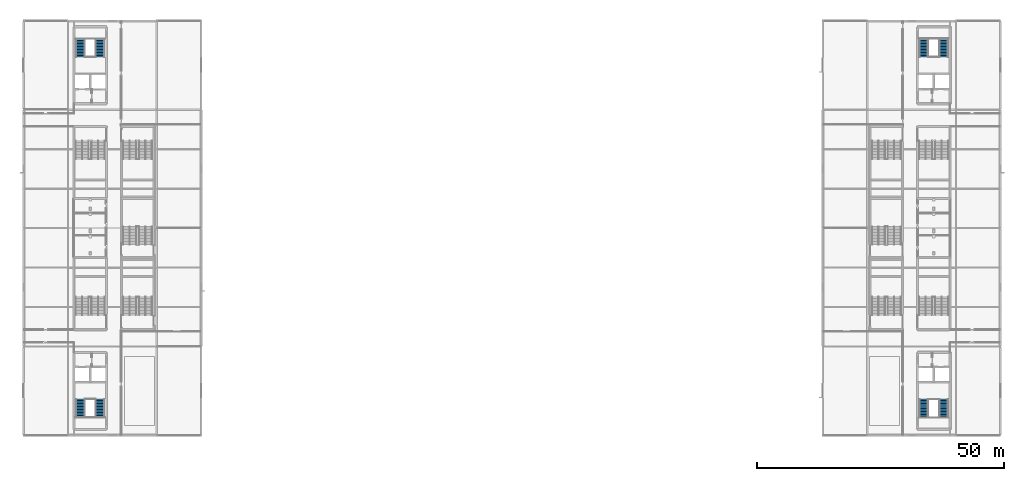
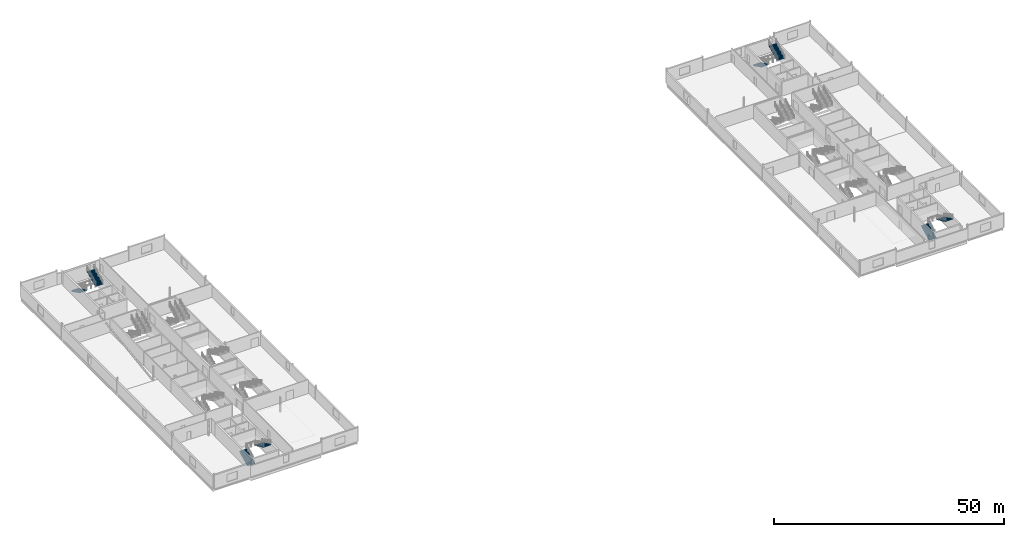
# One storey, part 25 of 35: 8 stair flights, 4 elements without a shape of their own.
"""IFC4 building model written with IfcOpenShell, lengths in metres."""

from ifc_helpers import new_model, si_unit, direction, frame, origin, place, context, subcontext, project, spatial, polyline, outline, extrude, material, type_object, element, aggregate, save


model = new_model("IFC4")

# Units and contexts
model_context = context("Model", 3, precision=1e-05, world=origin(), true_north=direction((0.0, 1.0)))
body_context = subcontext(model_context, "Body", "Model", "MODEL_VIEW")
ifc_project = project(units=[si_unit("LENGTHUNIT", "METRE"), si_unit("AREAUNIT", "SQUARE_METRE"), si_unit("VOLUMEUNIT", "CUBIC_METRE"), si_unit("PLANEANGLEUNIT", "RADIAN"), si_unit("MASSUNIT", "GRAM", prefix="KILO")], contexts=[model_context])

# Site, building, storey
site_placement = place(None, origin())
site = spatial("IfcSite", under=ifc_project, at=site_placement, CompositionType="ELEMENT")
building_placement = place(site_placement, origin())
building = spatial("IfcBuilding", under=site, at=building_placement, Name="Kisiwana Market Hall", CompositionType="ELEMENT")
storey_placement = place(building_placement, frame((0.0, 0.0, 57.89990234375)))
storey = spatial("IfcBuildingStorey", under=building, at=storey_placement, Name="L13", CompositionType="ELEMENT", Elevation=57.89990234375)

# Stair, stair flights
ifc_material_1 = material(Name="Concrete C32/40", Category="concrete")
stair_type = type_object("IfcStairType", Name="ST-TWR-3900", PredefinedType="TWO_STRAIGHT_RUN_STAIR", material=ifc_material_1)
stair_1_placement = place(storey_placement, origin())
stair_1 = element("IfcStair", 1, at=stair_1_placement, inside=storey, type_object=stair_type, Name="Escape stair ST-W2-L13", PredefinedType="TWO_STRAIGHT_RUN_STAIR")
ifc_material_2 = material(Name="Concrete C32/40", Category="concrete")
stair_flight_type = type_object("IfcStairFlightType", Name="SF-TWR-3900", PredefinedType="STRAIGHT", material=ifc_material_2)
stair_flight_1_placement = place(storey_placement, frame((11.5, 21.674560546875, 0.0), z_axis=(0.0, 0.0, 1.0), x_axis=(0.0, 1.0, 0.0)))
stair_flight_1 = element("IfcStairFlight", 2, at=stair_flight_1_placement, type_object=stair_flight_type, Name="ST-W2-L13 flight 1", NumberOfRisers=13, NumberOfTreads=12, PredefinedType="STRAIGHT", RiserHeight=0.15, TreadLength=0.305, context=body_context, shape_type="SweptSolid", body=[
    extrude(outline(polyline([(0.0, 0.0), (0.0, 0.14990234375), (0.304931640625, 0.14990234375), (0.304931640625, 0.300048828125), (0.610107421875, 0.300048828125), (0.610107421875, 0.449951171875), (0.9150390625, 0.449951171875), (0.9150390625, 0.60009765625), (1.219970703125, 0.60009765625), (1.219970703125, 0.75), (1.52490234375, 0.75), (1.52490234375, 0.89990234375), (1.830078125, 0.89990234375), (1.830078125, 1.050048828125), (2.135009765625, 1.050048828125), (2.135009765625, 1.199951171875), (2.43994140625, 1.199951171875), (2.43994140625, 1.35009765625), (2.7451171875, 1.35009765625), (2.7451171875, 1.5), (3.050048828125, 1.5), (3.050048828125, 1.64990234375), (3.35498046875, 1.64990234375), (3.35498046875, 1.800048828125), (3.659912109375, 1.800048828125), (3.659912109375, 1.949951171875), (3.659912109375, 1.599365234375), (0.40771484375, 0.0), (0.0, 0.0)])), frame((0.0, 0.925048828125, 0.0), z_axis=(0.0, -1.0, 0.0), x_axis=(1.0, 0.0, 0.0)), (0.0, 0.0, 1.0), 1.85009765625),
])
stair_flight_2_placement = place(storey_placement, frame((15.5, 25.33447265625, 1.9501953125), z_axis=(0.0, 0.0, 1.0), x_axis=(0.0, -1.0, 0.0)))
stair_flight_2 = element("IfcStairFlight", 3, at=stair_flight_2_placement, type_object=stair_flight_type, Name="ST-W2-L13 flight 2", NumberOfRisers=13, NumberOfTreads=12, PredefinedType="STRAIGHT", RiserHeight=0.15, TreadLength=0.305, context=body_context, shape_type="SweptSolid", body=[
    extrude(outline(polyline([(0.0, 0.0), (0.0, 0.14990234375), (0.304931640625, 0.14990234375), (0.304931640625, 0.300048828125), (0.610107421875, 0.300048828125), (0.610107421875, 0.449951171875), (0.9150390625, 0.449951171875), (0.9150390625, 0.60009765625), (1.219970703125, 0.60009765625), (1.219970703125, 0.75), (1.52490234375, 0.75), (1.52490234375, 0.89990234375), (1.830078125, 0.89990234375), (1.830078125, 1.050048828125), (2.135009765625, 1.050048828125), (2.135009765625, 1.199951171875), (2.43994140625, 1.199951171875), (2.43994140625, 1.35009765625), (2.7451171875, 1.35009765625), (2.7451171875, 1.5), (3.050048828125, 1.5), (3.050048828125, 1.64990234375), (3.35498046875, 1.64990234375), (3.35498046875, 1.800048828125), (3.659912109375, 1.800048828125), (3.659912109375, 1.949951171875), (3.659912109375, 1.599365234375), (0.40771484375, 0.0), (0.0, 0.0)])), frame((0.0, 0.925048828125, 0.0), z_axis=(0.0, -1.0, 0.0), x_axis=(1.0, 0.0, 0.0)), (0.0, 0.0, 1.0), 1.85009765625),
])
aggregate(stair_1, [stair_flight_1, stair_flight_2])

stair_2_placement = place(storey_placement, origin())
stair_2 = element("IfcStair", 4, at=stair_2_placement, inside=storey, type_object=stair_type, Name="Escape stair ST-W1-L13", PredefinedType="TWO_STRAIGHT_RUN_STAIR")
stair_flight_3_placement = place(storey_placement, frame((11.5, 98.325439453125, 0.0), z_axis=(0.0, 0.0, 1.0), x_axis=(0.0, -1.0, 0.0)))
stair_flight_3 = element("IfcStairFlight", 5, at=stair_flight_3_placement, type_object=stair_flight_type, Name="ST-W1-L13 flight 1", NumberOfRisers=13, NumberOfTreads=12, PredefinedType="STRAIGHT", RiserHeight=0.15, TreadLength=0.305, context=body_context, shape_type="SweptSolid", body=[
    extrude(outline(polyline([(0.0, 0.0), (0.0, 0.14990234375), (0.304931640625, 0.14990234375), (0.304931640625, 0.300048828125), (0.610107421875, 0.300048828125), (0.610107421875, 0.449951171875), (0.9150390625, 0.449951171875), (0.9150390625, 0.60009765625), (1.219970703125, 0.60009765625), (1.219970703125, 0.75), (1.52490234375, 0.75), (1.52490234375, 0.89990234375), (1.830078125, 0.89990234375), (1.830078125, 1.050048828125), (2.135009765625, 1.050048828125), (2.135009765625, 1.199951171875), (2.43994140625, 1.199951171875), (2.43994140625, 1.35009765625), (2.7451171875, 1.35009765625), (2.7451171875, 1.5), (3.050048828125, 1.5), (3.050048828125, 1.64990234375), (3.35498046875, 1.64990234375), (3.35498046875, 1.800048828125), (3.659912109375, 1.800048828125), (3.659912109375, 1.949951171875), (3.659912109375, 1.599365234375), (0.40771484375, 0.0), (0.0, 0.0)])), frame((0.0, 0.925048828125, 0.0), z_axis=(0.0, -1.0, 0.0), x_axis=(1.0, 0.0, 0.0)), (0.0, 0.0, 1.0), 1.85009765625),
])
stair_flight_4_placement = place(storey_placement, frame((15.5, 94.66552734375, 1.9501953125), z_axis=(0.0, 0.0, 1.0), x_axis=(0.0, 1.0, 0.0)))
stair_flight_4 = element("IfcStairFlight", 6, at=stair_flight_4_placement, type_object=stair_flight_type, Name="ST-W1-L13 flight 2", NumberOfRisers=13, NumberOfTreads=12, PredefinedType="STRAIGHT", RiserHeight=0.15, TreadLength=0.305, context=body_context, shape_type="SweptSolid", body=[
    extrude(outline(polyline([(0.0, 0.0), (0.0, 0.14990234375), (0.304931640625, 0.14990234375), (0.304931640625, 0.300048828125), (0.610107421875, 0.300048828125), (0.610107421875, 0.449951171875), (0.9150390625, 0.449951171875), (0.9150390625, 0.60009765625), (1.219970703125, 0.60009765625), (1.219970703125, 0.75), (1.52490234375, 0.75), (1.52490234375, 0.89990234375), (1.830078125, 0.89990234375), (1.830078125, 1.050048828125), (2.135009765625, 1.050048828125), (2.135009765625, 1.199951171875), (2.43994140625, 1.199951171875), (2.43994140625, 1.35009765625), (2.7451171875, 1.35009765625), (2.7451171875, 1.5), (3.050048828125, 1.5), (3.050048828125, 1.64990234375), (3.35498046875, 1.64990234375), (3.35498046875, 1.800048828125), (3.659912109375, 1.800048828125), (3.659912109375, 1.949951171875), (3.659912109375, 1.599365234375), (0.40771484375, 0.0), (0.0, 0.0)])), frame((0.0, 0.925048828125, 0.0), z_axis=(0.0, -1.0, 0.0), x_axis=(1.0, 0.0, 0.0)), (0.0, 0.0, 1.0), 1.85009765625),
])
aggregate(stair_2, [stair_flight_3, stair_flight_4])

stair_3_placement = place(storey_placement, origin())
stair_3 = element("IfcStair", 7, at=stair_3_placement, inside=storey, type_object=stair_type, Name="Escape stair ST-E2-L13", PredefinedType="TWO_STRAIGHT_RUN_STAIR")
stair_flight_5_placement = place(storey_placement, frame((182.47509765625, 21.6494140625, 0.0), z_axis=(0.0, 0.0, 1.0), x_axis=(0.0, 1.0, 0.0)))
stair_flight_5 = element("IfcStairFlight", 8, at=stair_flight_5_placement, type_object=stair_flight_type, Name="ST-E2-L13 flight 1", NumberOfRisers=13, NumberOfTreads=12, PredefinedType="STRAIGHT", RiserHeight=0.15, TreadLength=0.305, context=body_context, shape_type="SweptSolid", body=[
    extrude(outline(polyline([(0.0, 0.0), (0.0, 0.14990234375), (0.304931640625, 0.14990234375), (0.304931640625, 0.300048828125), (0.610107421875, 0.300048828125), (0.610107421875, 0.449951171875), (0.9150390625, 0.449951171875), (0.9150390625, 0.60009765625), (1.219970703125, 0.60009765625), (1.219970703125, 0.75), (1.52490234375, 0.75), (1.52490234375, 0.89990234375), (1.830078125, 0.89990234375), (1.830078125, 1.050048828125), (2.135009765625, 1.050048828125), (2.135009765625, 1.199951171875), (2.43994140625, 1.199951171875), (2.43994140625, 1.35009765625), (2.7451171875, 1.35009765625), (2.7451171875, 1.5), (3.050048828125, 1.5), (3.050048828125, 1.64990234375), (3.35498046875, 1.64990234375), (3.35498046875, 1.800048828125), (3.659912109375, 1.800048828125), (3.659912109375, 1.949951171875), (3.659912109375, 1.599365234375), (0.40771484375, 0.0), (0.0, 0.0)])), frame((0.0, 0.925048828125, 0.0), z_axis=(0.0, -1.0, 0.0), x_axis=(1.0, 0.0, 0.0)), (0.0, 0.0, 1.0), 1.85009765625),
])
stair_flight_6_placement = place(storey_placement, frame((186.52490234375, 25.3095703125, 1.9501953125), z_axis=(0.0, 0.0, 1.0), x_axis=(0.0, -1.0, 0.0)))
stair_flight_6 = element("IfcStairFlight", 9, at=stair_flight_6_placement, type_object=stair_flight_type, Name="ST-E2-L13 flight 2", NumberOfRisers=13, NumberOfTreads=12, PredefinedType="STRAIGHT", RiserHeight=0.15, TreadLength=0.305, context=body_context, shape_type="SweptSolid", body=[
    extrude(outline(polyline([(0.0, 0.0), (0.0, 0.14990234375), (0.304931640625, 0.14990234375), (0.304931640625, 0.300048828125), (0.610107421875, 0.300048828125), (0.610107421875, 0.449951171875), (0.9150390625, 0.449951171875), (0.9150390625, 0.60009765625), (1.219970703125, 0.60009765625), (1.219970703125, 0.75), (1.52490234375, 0.75), (1.52490234375, 0.89990234375), (1.830078125, 0.89990234375), (1.830078125, 1.050048828125), (2.135009765625, 1.050048828125), (2.135009765625, 1.199951171875), (2.43994140625, 1.199951171875), (2.43994140625, 1.35009765625), (2.7451171875, 1.35009765625), (2.7451171875, 1.5), (3.050048828125, 1.5), (3.050048828125, 1.64990234375), (3.35498046875, 1.64990234375), (3.35498046875, 1.800048828125), (3.659912109375, 1.800048828125), (3.659912109375, 1.949951171875), (3.659912109375, 1.599365234375), (0.40771484375, 0.0), (0.0, 0.0)])), frame((0.0, 0.925048828125, 0.0), z_axis=(0.0, -1.0, 0.0), x_axis=(1.0, 0.0, 0.0)), (0.0, 0.0, 1.0), 1.85009765625),
])
aggregate(stair_3, [stair_flight_5, stair_flight_6])

stair_4_placement = place(storey_placement, origin())
stair_4 = element("IfcStair", 10, at=stair_4_placement, inside=storey, type_object=stair_type, Name="Escape stair ST-E1-L13", PredefinedType="TWO_STRAIGHT_RUN_STAIR")
stair_flight_7_placement = place(storey_placement, frame((182.47509765625, 98.3505859375, 0.0), z_axis=(0.0, 0.0, 1.0), x_axis=(0.0, -1.0, 0.0)))
stair_flight_7 = element("IfcStairFlight", 11, at=stair_flight_7_placement, type_object=stair_flight_type, Name="ST-E1-L13 flight 1", NumberOfRisers=13, NumberOfTreads=12, PredefinedType="STRAIGHT", RiserHeight=0.15, TreadLength=0.305, context=body_context, shape_type="SweptSolid", body=[
    extrude(outline(polyline([(0.0, 0.0), (0.0, 0.14990234375), (0.304931640625, 0.14990234375), (0.304931640625, 0.300048828125), (0.610107421875, 0.300048828125), (0.610107421875, 0.449951171875), (0.9150390625, 0.449951171875), (0.9150390625, 0.60009765625), (1.219970703125, 0.60009765625), (1.219970703125, 0.75), (1.52490234375, 0.75), (1.52490234375, 0.89990234375), (1.830078125, 0.89990234375), (1.830078125, 1.050048828125), (2.135009765625, 1.050048828125), (2.135009765625, 1.199951171875), (2.43994140625, 1.199951171875), (2.43994140625, 1.35009765625), (2.7451171875, 1.35009765625), (2.7451171875, 1.5), (3.050048828125, 1.5), (3.050048828125, 1.64990234375), (3.35498046875, 1.64990234375), (3.35498046875, 1.800048828125), (3.659912109375, 1.800048828125), (3.659912109375, 1.949951171875), (3.659912109375, 1.599365234375), (0.40771484375, 0.0), (0.0, 0.0)])), frame((0.0, 0.925048828125, 0.0), z_axis=(0.0, -1.0, 0.0), x_axis=(1.0, 0.0, 0.0)), (0.0, 0.0, 1.0), 1.85009765625),
])
stair_flight_8_placement = place(storey_placement, frame((186.52490234375, 94.6904296875, 1.9501953125), z_axis=(0.0, 0.0, 1.0), x_axis=(0.0, 1.0, 0.0)))
stair_flight_8 = element("IfcStairFlight", 12, at=stair_flight_8_placement, type_object=stair_flight_type, Name="ST-E1-L13 flight 2", NumberOfRisers=13, NumberOfTreads=12, PredefinedType="STRAIGHT", RiserHeight=0.15, TreadLength=0.305, context=body_context, shape_type="SweptSolid", body=[
    extrude(outline(polyline([(0.0, 0.0), (0.0, 0.14990234375), (0.304931640625, 0.14990234375), (0.304931640625, 0.300048828125), (0.610107421875, 0.300048828125), (0.610107421875, 0.449951171875), (0.9150390625, 0.449951171875), (0.9150390625, 0.60009765625), (1.219970703125, 0.60009765625), (1.219970703125, 0.75), (1.52490234375, 0.75), (1.52490234375, 0.89990234375), (1.830078125, 0.89990234375), (1.830078125, 1.050048828125), (2.135009765625, 1.050048828125), (2.135009765625, 1.199951171875), (2.43994140625, 1.199951171875), (2.43994140625, 1.35009765625), (2.7451171875, 1.35009765625), (2.7451171875, 1.5), (3.050048828125, 1.5), (3.050048828125, 1.64990234375), (3.35498046875, 1.64990234375), (3.35498046875, 1.800048828125), (3.659912109375, 1.800048828125), (3.659912109375, 1.949951171875), (3.659912109375, 1.599365234375), (0.40771484375, 0.0), (0.0, 0.0)])), frame((0.0, 0.925048828125, 0.0), z_axis=(0.0, -1.0, 0.0), x_axis=(1.0, 0.0, 0.0)), (0.0, 0.0, 1.0), 1.85009765625),
])
aggregate(stair_4, [stair_flight_7, stair_flight_8])

save(model, "model.ifc")
